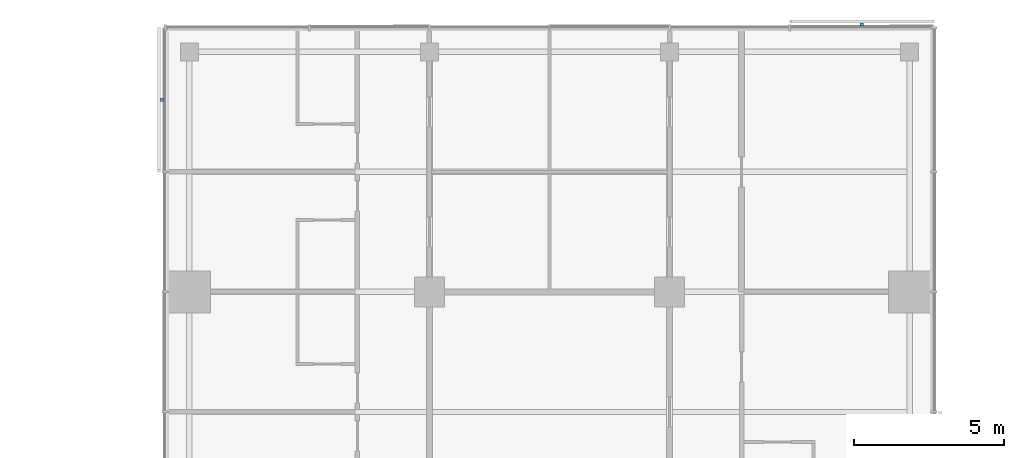
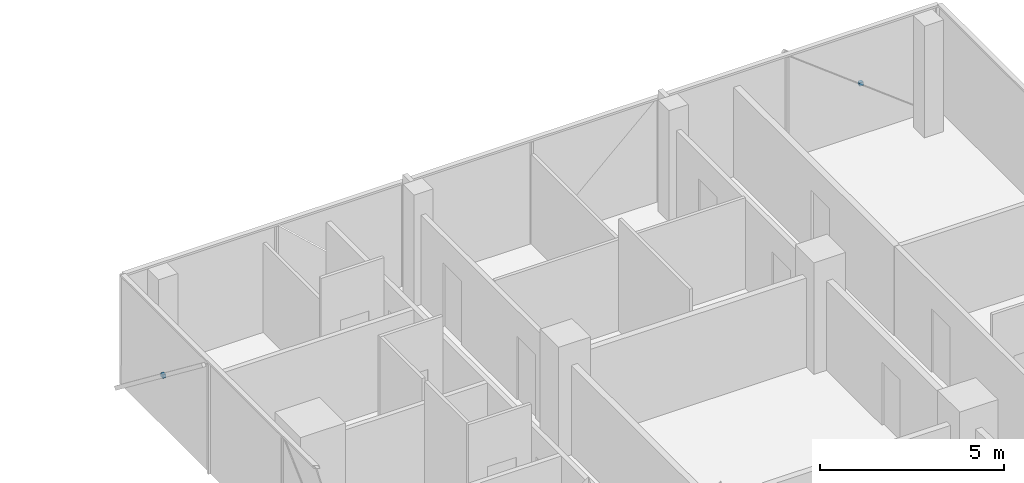
# One storey, part 26 of 27: 2 discrete accessories.
"""IFC4 building model written with IfcOpenShell, lengths in metres."""

from ifc_helpers import new_model, si_unit, direction, frame, origin, origin_2d, place, context, subcontext, project, spatial, rectangle, extrude, material, type_object, element, save


model = new_model("IFC4")

# Units and contexts
model_context = context("Model", 3, precision=1e-05, world=origin(), true_north=direction((0.0, 1.0)))
body_context = subcontext(model_context, "Body", "Model", "MODEL_VIEW")
ifc_project = project(units=[si_unit("LENGTHUNIT", "METRE"), si_unit("AREAUNIT", "SQUARE_METRE"), si_unit("VOLUMEUNIT", "CUBIC_METRE"), si_unit("PLANEANGLEUNIT", "RADIAN"), si_unit("MASSUNIT", "GRAM", prefix="KILO")], contexts=[model_context])

# Site, building, storey
site_placement = place(None, origin())
site = spatial("IfcSite", under=ifc_project, at=site_placement, CompositionType="ELEMENT")
building_placement = place(site_placement, origin())
building = spatial("IfcBuilding", under=site, at=building_placement, Name="Crosswind Convention Tower", CompositionType="ELEMENT")
storey_placement = place(building_placement, frame((0.0, 0.0, 94.199951171875)))
storey = spatial("IfcBuildingStorey", under=building, at=storey_placement, Name="L18", CompositionType="ELEMENT", Elevation=94.199951171875)

# Discrete accessories
ifc_material = material(Name="Stainless steel", Category="steel")
discrete_accessory_type = type_object("IfcDiscreteAccessoryType", Name="BAGUETTE BRACKET BK2", PredefinedType="BRACKET", material=ifc_material)
for number, where, z_axis, x_axis, name in (
    (1, (135.39990234375, 136.907958984375, 1.4775390625), (0.0, 0.0, 1.0), (-1.0, 0.0, 0.0), "BK2 baguette bracket"),
    (2, (112.092041015625, 134.39990234375, 1.4775390625), (0.0, 0.0, 1.0), (0.0, -1.0, 0.0), "BK2 baguette bracket"),
):
    element("IfcDiscreteAccessory", number, at=place(storey_placement, frame(where, z_axis=z_axis, x_axis=x_axis)), inside=storey, type_object=discrete_accessory_type, Name=name, PredefinedType="BRACKET", context=body_context, shape_type="SweptSolid", body=[
        extrude(rectangle(XDim=0.1201171875, YDim=0.10009765625, at=origin_2d()), origin(), (0.0, 0.0, 1.0), 0.1201171875),
    ])

save(model, "model.ifc")
